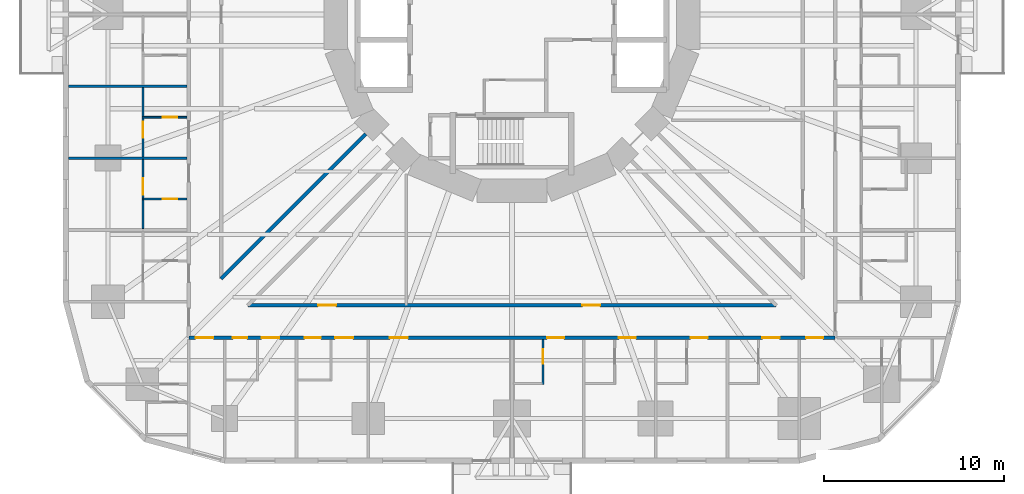
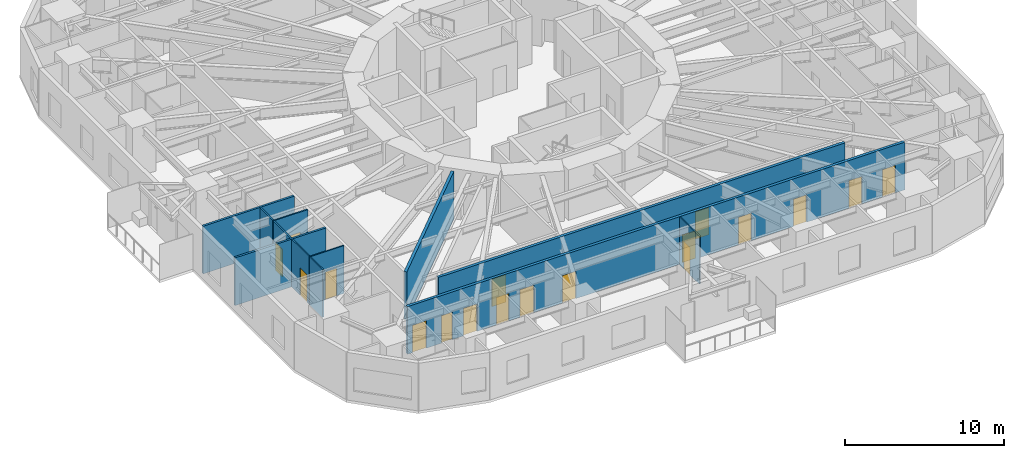
# One storey, part 5 of 14: 18 doors, 12 walls, 18 openings.
"""IFC4 building model written with IfcOpenShell, lengths in metres."""

from ifc_helpers import new_model, si_unit, direction, frame, frame_2d, origin, place, context, subcontext, project, spatial, rectangle, extrude, material, layer, layer_set, type_object, element, fill, save


model = new_model("IFC4")

# Units and contexts
model_context = context("Model", 3, precision=1e-05, world=origin(), true_north=direction((0.0, 1.0)))
body_context = subcontext(model_context, "Body", "Model", "MODEL_VIEW")
ifc_project = project(units=[si_unit("LENGTHUNIT", "METRE"), si_unit("AREAUNIT", "SQUARE_METRE"), si_unit("VOLUMEUNIT", "CUBIC_METRE"), si_unit("PLANEANGLEUNIT", "RADIAN"), si_unit("MASSUNIT", "GRAM", prefix="KILO")], contexts=[model_context])

# Site, building, storey
site_placement = place(None, origin())
site = spatial("IfcSite", under=ifc_project, at=site_placement, CompositionType="ELEMENT")
building_placement = place(site_placement, origin())
building = spatial("IfcBuilding", under=site, at=building_placement, Name="Nakasero Lantern House", CompositionType="ELEMENT")
storey_placement = place(building_placement, frame((0.0, 0.0, 46.800048828125)))
storey = spatial("IfcBuildingStorey", under=building, at=storey_placement, Name="L11", CompositionType="ELEMENT", Elevation=46.800048828125)

# Wall, openings, doors
ifc_material_1 = material(Name="Blockwork", Category="masonry")
ifc_layer_1 = layer(ifc_material_1, 0.199951171875)
ifc_layer_set_1 = layer_set([ifc_layer_1], Name="Corridor wall 200")
wall_type_1 = type_object("IfcWallType", Name="Corridor wall 200", PredefinedType="PARTITIONING", material=ifc_layer_set_1)
wall_1_placement = place(storey_placement, frame((-18.0, -18.0, 0.0), z_axis=(0.0, 0.0, 1.0), x_axis=(1.0, 0.0, 0.0)))
wall_1 = element("IfcWall", 1, at=wall_1_placement, inside=storey, type_object=wall_type_1, Name="Corridor wall L11 CW3", PredefinedType="PARTITIONING", context=body_context, shape_type="SweptSolid", body=[
    extrude(rectangle(XDim=36.0, YDim=0.199951171875, at=frame_2d((18.0, 0.0))), origin(), (0.0, 0.0, 1.0), 3.64990234375),
])
opening_1_placement = place(wall_1_placement, frame((0.375, 0.0, 0.0)))
opening_1 = element("IfcOpeningElement", 2, at=opening_1_placement, cuts=wall_1, Name="Opening D07", PredefinedType="OPENING", context=body_context, shape_type="SweptSolid", body=[
    extrude(rectangle(XDim=1.0, YDim=2.10009765625, at=frame_2d((0.5, 1.050048828125))), frame((0.0, 0.119873046875, 0.0), z_axis=(0.0, -1.0, 0.0), x_axis=(1.0, 0.0, 0.0)), (0.0, 0.0, 1.0), 0.239990234375),
])
opening_2_placement = place(wall_1_placement, frame((2.449951171875, 0.0, 0.0)))
opening_2 = element("IfcOpeningElement", 3, at=opening_2_placement, cuts=wall_1, Name="Opening D15", PredefinedType="OPENING", context=body_context, shape_type="SweptSolid", body=[
    extrude(rectangle(XDim=0.800048828125, YDim=2.10009765625, at=frame_2d((0.39990234375, 1.050048828125))), frame((0.0, 0.119873046875, 0.0), z_axis=(0.0, -1.0, 0.0), x_axis=(1.0, 0.0, 0.0)), (0.0, 0.0, 1.0), 0.239990234375),
])
opening_3_placement = place(wall_1_placement, frame((4.050048828125, 0.0, 0.0)))
opening_3 = element("IfcOpeningElement", 4, at=opening_3_placement, cuts=wall_1, Name="Opening D07", PredefinedType="OPENING", context=body_context, shape_type="SweptSolid", body=[
    extrude(rectangle(XDim=1.0, YDim=2.10009765625, at=frame_2d((0.5, 1.050048828125))), frame((0.0, 0.119873046875, 0.0), z_axis=(0.0, -1.0, 0.0), x_axis=(1.0, 0.0, 0.0)), (0.0, 0.0, 1.0), 0.239990234375),
])
opening_4_placement = place(wall_1_placement, frame((6.449951171875, 0.0, 0.0)))
opening_4 = element("IfcOpeningElement", 5, at=opening_4_placement, cuts=wall_1, Name="Opening D16", PredefinedType="OPENING", context=body_context, shape_type="SweptSolid", body=[
    extrude(rectangle(XDim=0.89990234375, YDim=2.10009765625, at=frame_2d((0.449951171875, 1.050048828125))), frame((0.0, 0.119873046875, 0.0), z_axis=(0.0, -1.0, 0.0), x_axis=(1.0, 0.0, 0.0)), (0.0, 0.0, 1.0), 0.239990234375),
])
opening_5_placement = place(wall_1_placement, frame((8.14990234375, 0.0, 0.0)))
opening_5 = element("IfcOpeningElement", 6, at=opening_5_placement, cuts=wall_1, Name="Opening D07", PredefinedType="OPENING", context=body_context, shape_type="SweptSolid", body=[
    extrude(rectangle(XDim=1.0, YDim=2.10009765625, at=frame_2d((0.5, 1.050048828125))), frame((0.0, 0.119873046875, 0.0), z_axis=(0.0, -1.0, 0.0), x_axis=(1.0, 0.0, 0.0)), (0.0, 0.0, 1.0), 0.239990234375),
])
opening_6_placement = place(wall_1_placement, frame((19.949951171875, 0.0, 0.0)))
opening_6 = element("IfcOpeningElement", 7, at=opening_6_placement, cuts=wall_1, Name="Opening D01", PredefinedType="OPENING", context=body_context, shape_type="SweptSolid", body=[
    extrude(rectangle(XDim=0.949951171875, YDim=2.10009765625, at=frame_2d((0.47509765625, 1.050048828125))), frame((0.0, 0.119873046875, 0.0), z_axis=(0.0, -1.0, 0.0), x_axis=(1.0, 0.0, 0.0)), (0.0, 0.0, 1.0), 0.239990234375),
])
opening_7_placement = place(wall_1_placement, frame((23.949951171875, 0.0, 0.0)))
opening_7 = element("IfcOpeningElement", 8, at=opening_7_placement, cuts=wall_1, Name="Opening D01", PredefinedType="OPENING", context=body_context, shape_type="SweptSolid", body=[
    extrude(rectangle(XDim=0.949951171875, YDim=2.10009765625, at=frame_2d((0.47509765625, 1.050048828125))), frame((0.0, 0.119873046875, 0.0), z_axis=(0.0, -1.0, 0.0), x_axis=(1.0, 0.0, 0.0)), (0.0, 0.0, 1.0), 0.239990234375),
])
opening_8_placement = place(wall_1_placement, frame((27.949951171875, 0.0, 0.0)))
opening_8 = element("IfcOpeningElement", 9, at=opening_8_placement, cuts=wall_1, Name="Opening D01", PredefinedType="OPENING", context=body_context, shape_type="SweptSolid", body=[
    extrude(rectangle(XDim=0.949951171875, YDim=2.10009765625, at=frame_2d((0.47509765625, 1.050048828125))), frame((0.0, 0.119873046875, 0.0), z_axis=(0.0, -1.0, 0.0), x_axis=(1.0, 0.0, 0.0)), (0.0, 0.0, 1.0), 0.239990234375),
])
opening_9_placement = place(wall_1_placement, frame((31.949951171875, 0.0, 0.0)))
opening_9 = element("IfcOpeningElement", 10, at=opening_9_placement, cuts=wall_1, Name="Opening D01", PredefinedType="OPENING", context=body_context, shape_type="SweptSolid", body=[
    extrude(rectangle(XDim=0.949951171875, YDim=2.10009765625, at=frame_2d((0.47509765625, 1.050048828125))), frame((0.0, 0.119873046875, 0.0), z_axis=(0.0, -1.0, 0.0), x_axis=(1.0, 0.0, 0.0)), (0.0, 0.0, 1.0), 0.239990234375),
])
opening_10_placement = place(wall_1_placement, frame((34.375, 0.0, 0.0)))
opening_10 = element("IfcOpeningElement", 11, at=opening_10_placement, cuts=wall_1, Name="Opening D01", PredefinedType="OPENING", context=body_context, shape_type="SweptSolid", body=[
    extrude(rectangle(XDim=0.949951171875, YDim=2.10009765625, at=frame_2d((0.47509765625, 1.050048828125))), frame((0.0, 0.119873046875, 0.0), z_axis=(0.0, -1.0, 0.0), x_axis=(1.0, 0.0, 0.0)), (0.0, 0.0, 1.0), 0.239990234375),
])
opening_11_placement = place(wall_1_placement, frame((11.199951171875, 0.0, 0.0)))
opening_11 = element("IfcOpeningElement", 12, at=opening_11_placement, cuts=wall_1, Name="Opening D03", PredefinedType="OPENING", context=body_context, shape_type="SweptSolid", body=[
    extrude(rectangle(XDim=1.0, YDim=2.10009765625, at=frame_2d((0.5, 1.050048828125))), frame((0.0, 0.119873046875, 0.0), z_axis=(0.0, -1.0, 0.0), x_axis=(1.0, 0.0, 0.0)), (0.0, 0.0, 1.0), 0.239990234375),
])
ifc_material_2 = material(Name="Timber C24", Category="wood")
door_type_1 = type_object("IfcDoorType", Name="Accessible WC door 900", OperationType="SINGLE_SWING_RIGHT", PredefinedType="DOOR", material=ifc_material_2)
door_1_placement = place(opening_4_placement, origin())
door_1 = element("IfcDoor", 13, at=door_1_placement, inside=storey, type_object=door_type_1, Name="Door L11 DS3-02", OperationType="SINGLE_SWING_LEFT", OverallHeight=2.10009765625, OverallWidth=0.89990234375, PredefinedType="DOOR", context=body_context, shape_type="SweptSolid", body=[
    extrude(rectangle(XDim=0.89990234375, YDim=2.10009765625, at=frame_2d((0.449951171875, 1.050048828125))), frame((0.0, 0.02490234375, 0.0), z_axis=(0.0, -1.0, 0.0), x_axis=(1.0, 0.0, 0.0)), (0.0, 0.0, 1.0), 0.050048828125),
])
fill(opening_4, door_1)
ifc_material_3 = material(Name="Timber C24", Category="wood")
door_type_2 = type_object("IfcDoorType", Name="Bedroom door FD30S 950", OperationType="SINGLE_SWING_LEFT", PredefinedType="DOOR", material=ifc_material_3)
door_2_placement = place(opening_6_placement, origin())
door_2 = element("IfcDoor", 14, at=door_2_placement, inside=storey, type_object=door_type_2, Name="Door L11 D3-05", OperationType="SINGLE_SWING_RIGHT", OverallHeight=2.10009765625, OverallWidth=0.949951171875, PredefinedType="DOOR", context=body_context, shape_type="SweptSolid", body=[
    extrude(rectangle(XDim=0.949951171875, YDim=2.10009765625, at=frame_2d((0.47509765625, 1.050048828125))), frame((0.0, 0.02490234375, 0.0), z_axis=(0.0, -1.0, 0.0), x_axis=(1.0, 0.0, 0.0)), (0.0, 0.0, 1.0), 0.050048828125),
])
fill(opening_6, door_2)
door_3_placement = place(opening_7_placement, origin())
door_3 = element("IfcDoor", 15, at=door_3_placement, inside=storey, type_object=door_type_2, Name="Door L11 D3-06", OperationType="SINGLE_SWING_RIGHT", OverallHeight=2.10009765625, OverallWidth=0.949951171875, PredefinedType="DOOR", context=body_context, shape_type="SweptSolid", body=[
    extrude(rectangle(XDim=0.949951171875, YDim=2.10009765625, at=frame_2d((0.47509765625, 1.050048828125))), frame((0.0, 0.02490234375, 0.0), z_axis=(0.0, -1.0, 0.0), x_axis=(1.0, 0.0, 0.0)), (0.0, 0.0, 1.0), 0.050048828125),
])
fill(opening_7, door_3)
door_4_placement = place(opening_8_placement, origin())
door_4 = element("IfcDoor", 16, at=door_4_placement, inside=storey, type_object=door_type_2, Name="Door L11 D3-07", OperationType="SINGLE_SWING_RIGHT", OverallHeight=2.10009765625, OverallWidth=0.949951171875, PredefinedType="DOOR", context=body_context, shape_type="SweptSolid", body=[
    extrude(rectangle(XDim=0.949951171875, YDim=2.10009765625, at=frame_2d((0.47509765625, 1.050048828125))), frame((0.0, 0.02490234375, 0.0), z_axis=(0.0, -1.0, 0.0), x_axis=(1.0, 0.0, 0.0)), (0.0, 0.0, 1.0), 0.050048828125),
])
fill(opening_8, door_4)
door_5_placement = place(opening_9_placement, origin())
door_5 = element("IfcDoor", 17, at=door_5_placement, inside=storey, type_object=door_type_2, Name="Door L11 D3-08", OperationType="SINGLE_SWING_RIGHT", OverallHeight=2.10009765625, OverallWidth=0.949951171875, PredefinedType="DOOR", context=body_context, shape_type="SweptSolid", body=[
    extrude(rectangle(XDim=0.949951171875, YDim=2.10009765625, at=frame_2d((0.47509765625, 1.050048828125))), frame((0.0, 0.02490234375, 0.0), z_axis=(0.0, -1.0, 0.0), x_axis=(1.0, 0.0, 0.0)), (0.0, 0.0, 1.0), 0.050048828125),
])
fill(opening_9, door_5)
door_6_placement = place(opening_10_placement, origin())
door_6 = element("IfcDoor", 18, at=door_6_placement, inside=storey, type_object=door_type_2, Name="Door L11 D3-09", OperationType="SINGLE_SWING_RIGHT", OverallHeight=2.10009765625, OverallWidth=0.949951171875, PredefinedType="DOOR", context=body_context, shape_type="SweptSolid", body=[
    extrude(rectangle(XDim=0.949951171875, YDim=2.10009765625, at=frame_2d((0.47509765625, 1.050048828125))), frame((0.0, 0.02490234375, 0.0), z_axis=(0.0, -1.0, 0.0), x_axis=(1.0, 0.0, 0.0)), (0.0, 0.0, 1.0), 0.050048828125),
])
fill(opening_10, door_6)
ifc_material_4 = material(Name="Timber C24", Category="wood")
door_type_3 = type_object("IfcDoorType", Name="Cleaner's store door FD30S 800", OperationType="SINGLE_SWING_LEFT", PredefinedType="DOOR", material=ifc_material_4)
door_7_placement = place(opening_2_placement, origin())
door_7 = element("IfcDoor", 19, at=door_7_placement, inside=storey, type_object=door_type_3, Name="Door L11 DS3-01", OperationType="SINGLE_SWING_LEFT", OverallHeight=2.10009765625, OverallWidth=0.800048828125, PredefinedType="DOOR", context=body_context, shape_type="SweptSolid", body=[
    extrude(rectangle(XDim=0.800048828125, YDim=2.10009765625, at=frame_2d((0.39990234375, 1.050048828125))), frame((0.0, 0.02490234375, 0.0), z_axis=(0.0, -1.0, 0.0), x_axis=(1.0, 0.0, 0.0)), (0.0, 0.0, 1.0), 0.050048828125),
])
fill(opening_2, door_7)
ifc_material_5 = material(Name="Timber C24", Category="wood")
door_type_4 = type_object("IfcDoorType", Name="Lounge door FD30S 1000", OperationType="SINGLE_SWING_LEFT", PredefinedType="DOOR", material=ifc_material_5)
door_8_placement = place(opening_11_placement, origin())
door_8 = element("IfcDoor", 20, at=door_8_placement, inside=storey, type_object=door_type_4, Name="Door L11 DK3", OperationType="SINGLE_SWING_LEFT", OverallHeight=2.10009765625, OverallWidth=1.0, PredefinedType="DOOR", context=body_context, shape_type="SweptSolid", body=[
    extrude(rectangle(XDim=1.0, YDim=2.10009765625, at=frame_2d((0.5, 1.050048828125))), frame((0.0, 0.02490234375, 0.0), z_axis=(0.0, -1.0, 0.0), x_axis=(1.0, 0.0, 0.0)), (0.0, 0.0, 1.0), 0.050048828125),
])
fill(opening_11, door_8)
ifc_material_6 = material(Name="Timber C24", Category="wood")
door_type_5 = type_object("IfcDoorType", Name="Room door FD30S 1000", OperationType="SINGLE_SWING_LEFT", PredefinedType="DOOR", material=ifc_material_6)
door_9_placement = place(opening_1_placement, origin())
door_9 = element("IfcDoor", 21, at=door_9_placement, inside=storey, type_object=door_type_5, Name="Door L11 D3-00", OperationType="SINGLE_SWING_LEFT", OverallHeight=2.10009765625, OverallWidth=1.0, PredefinedType="DOOR", context=body_context, shape_type="SweptSolid", body=[
    extrude(rectangle(XDim=1.0, YDim=2.10009765625, at=frame_2d((0.5, 1.050048828125))), frame((0.0, 0.02490234375, 0.0), z_axis=(0.0, -1.0, 0.0), x_axis=(1.0, 0.0, 0.0)), (0.0, 0.0, 1.0), 0.050048828125),
])
fill(opening_1, door_9)
door_10_placement = place(opening_3_placement, origin())
door_10 = element("IfcDoor", 22, at=door_10_placement, inside=storey, type_object=door_type_5, Name="Door L11 D3-01", OperationType="SINGLE_SWING_LEFT", OverallHeight=2.10009765625, OverallWidth=1.0, PredefinedType="DOOR", context=body_context, shape_type="SweptSolid", body=[
    extrude(rectangle(XDim=1.0, YDim=2.10009765625, at=frame_2d((0.5, 1.050048828125))), frame((0.0, 0.02490234375, 0.0), z_axis=(0.0, -1.0, 0.0), x_axis=(1.0, 0.0, 0.0)), (0.0, 0.0, 1.0), 0.050048828125),
])
fill(opening_3, door_10)
door_11_placement = place(opening_5_placement, origin())
door_11 = element("IfcDoor", 23, at=door_11_placement, inside=storey, type_object=door_type_5, Name="Door L11 D3-02", OperationType="SINGLE_SWING_LEFT", OverallHeight=2.10009765625, OverallWidth=1.0, PredefinedType="DOOR", context=body_context, shape_type="SweptSolid", body=[
    extrude(rectangle(XDim=1.0, YDim=2.10009765625, at=frame_2d((0.5, 1.050048828125))), frame((0.0, 0.02490234375, 0.0), z_axis=(0.0, -1.0, 0.0), x_axis=(1.0, 0.0, 0.0)), (0.0, 0.0, 1.0), 0.050048828125),
])
fill(opening_5, door_11)

wall_2_placement = place(storey_placement, frame((-14.715087890625, -16.199951171875, 0.0), z_axis=(0.0, 0.0, 1.0), x_axis=(1.0, 0.0, 0.0)))
wall_2 = element("IfcWall", 24, at=wall_2_placement, inside=storey, type_object=wall_type_1, Name="Corridor wall L11 IW3-0", PredefinedType="PARTITIONING", context=body_context, shape_type="SweptSolid", body=[
    extrude(rectangle(XDim=29.43017578125, YDim=0.199951171875, at=frame_2d((14.715087890625, 0.0))), origin(), (0.0, 0.0, 1.0), 3.64990234375),
])
opening_12_placement = place(wall_2_placement, frame((3.91455078125, 0.0, 0.0)))
opening_12 = element("IfcOpeningElement", 25, at=opening_12_placement, cuts=wall_2, Name="Opening D07", PredefinedType="OPENING", context=body_context, shape_type="SweptSolid", body=[
    extrude(rectangle(XDim=1.0, YDim=2.10009765625, at=frame_2d((0.5, 1.050048828125))), frame((0.0, 0.119873046875, 0.0), z_axis=(0.0, -1.0, 0.0), x_axis=(1.0, 0.0, 0.0)), (0.0, 0.0, 1.0), 0.239990234375),
])
opening_13_placement = place(wall_2_placement, frame((18.629638671875, 0.0, 0.0)))
opening_13 = element("IfcOpeningElement", 26, at=opening_13_placement, cuts=wall_2, Name="Opening D07", PredefinedType="OPENING", context=body_context, shape_type="SweptSolid", body=[
    extrude(rectangle(XDim=1.0, YDim=2.10009765625, at=frame_2d((0.5, 1.050048828125))), frame((0.0, 0.119873046875, 0.0), z_axis=(0.0, -1.0, 0.0), x_axis=(1.0, 0.0, 0.0)), (0.0, 0.0, 1.0), 0.239990234375),
])
door_12_placement = place(opening_12_placement, origin())
door_12 = element("IfcDoor", 27, at=door_12_placement, inside=storey, type_object=door_type_5, Name="Door L11 DI4", OperationType="SINGLE_SWING_LEFT", OverallHeight=2.10009765625, OverallWidth=1.0, PredefinedType="DOOR", context=body_context, shape_type="SweptSolid", body=[
    extrude(rectangle(XDim=1.0, YDim=2.10009765625, at=frame_2d((0.5, 1.050048828125))), frame((0.0, 0.02490234375, 0.0), z_axis=(0.0, -1.0, 0.0), x_axis=(1.0, 0.0, 0.0)), (0.0, 0.0, 1.0), 0.050048828125),
])
fill(opening_12, door_12)
door_13_placement = place(opening_13_placement, origin())
door_13 = element("IfcDoor", 28, at=door_13_placement, inside=storey, type_object=door_type_5, Name="Door L11 DI4S", OperationType="SINGLE_SWING_RIGHT", OverallHeight=2.10009765625, OverallWidth=1.0, PredefinedType="DOOR", context=body_context, shape_type="SweptSolid", body=[
    extrude(rectangle(XDim=1.0, YDim=2.10009765625, at=frame_2d((0.5, 1.050048828125))), frame((0.0, 0.02490234375, 0.0), z_axis=(0.0, -1.0, 0.0), x_axis=(1.0, 0.0, 0.0)), (0.0, 0.0, 1.0), 0.050048828125),
])
fill(opening_13, door_13)

# Wall
wall_3_placement = place(storey_placement, frame((-8.13720703125, -6.65234375, 0.0), z_axis=(0.0, 0.0, 1.0), x_axis=(-0.707106781187, -0.707106781187, 0.0)))
element("IfcWall", 29, at=wall_3_placement, inside=storey, type_object=wall_type_1, Name="Corridor wall L11 PS10b", PredefinedType="PARTITIONING", context=body_context, shape_type="SweptSolid", body=[
    extrude(rectangle(XDim=11.40234375, YDim=0.199951171875, at=frame_2d((5.701171875, 0.0))), origin(), (0.0, 0.0, 1.0), 3.64990234375),
])

# Wall, opening, door
ifc_material_7 = material(Name="Blockwork", Category="masonry")
ifc_layer_2 = layer(ifc_material_7, 0.10009765625)
ifc_layer_set_2 = layer_set([ifc_layer_2], Name="En-suite wall 100")
wall_type_2 = type_object("IfcWallType", Name="En-suite wall 100", PredefinedType="PARTITIONING", material=ifc_layer_set_2)
wall_4_placement = place(storey_placement, frame((-18.10009765625, -5.72509765625, 0.0), z_axis=(0.0, 0.0, 1.0), x_axis=(-1.0, 0.0, 0.0)))
wall_4 = element("IfcWall", 30, at=wall_4_placement, inside=storey, type_object=wall_type_2, Name="En-suite wall L11 ES2-06", PredefinedType="PARTITIONING", context=body_context, shape_type="SweptSolid", body=[
    extrude(rectangle(XDim=2.5, YDim=0.10009765625, at=frame_2d((1.25, 0.0))), origin(), (0.0, 0.0, 1.0), 3.64990234375),
])
opening_14_placement = place(wall_4_placement, frame((0.550048828125, 0.0, 0.0)))
opening_14 = element("IfcOpeningElement", 31, at=opening_14_placement, cuts=wall_4, Name="Opening D02", PredefinedType="OPENING", context=body_context, shape_type="SweptSolid", body=[
    extrude(rectangle(XDim=0.800048828125, YDim=2.10009765625, at=frame_2d((0.39990234375, 1.050048828125))), frame((0.0, 0.070068359375, 0.0), z_axis=(0.0, -1.0, 0.0), x_axis=(1.0, 0.0, 0.0)), (0.0, 0.0, 1.0), 0.14013671875),
])
ifc_material_8 = material(Name="Timber C24", Category="wood")
door_type_6 = type_object("IfcDoorType", Name="En-suite door 800", OperationType="SINGLE_SWING_RIGHT", PredefinedType="DOOR", material=ifc_material_8)
door_14_placement = place(opening_14_placement, origin())
door_14 = element("IfcDoor", 32, at=door_14_placement, inside=storey, type_object=door_type_6, Name="Door L11 DE2-06", OperationType="SINGLE_SWING_LEFT", OverallHeight=2.10009765625, OverallWidth=0.800048828125, PredefinedType="DOOR", context=body_context, shape_type="SweptSolid", body=[
    extrude(rectangle(XDim=0.800048828125, YDim=2.10009765625, at=frame_2d((0.39990234375, 1.050048828125))), frame((0.0, 0.02490234375, 0.0), z_axis=(0.0, -1.0, 0.0), x_axis=(1.0, 0.0, 0.0)), (0.0, 0.0, 1.0), 0.050048828125),
])
fill(opening_14, door_14)

# Wall
wall_5_placement = place(storey_placement, frame((-20.550048828125, -4.074951171875, 0.0), z_axis=(0.0, 0.0, 1.0), x_axis=(0.0, -1.0, 0.0)))
element("IfcWall", 33, at=wall_5_placement, inside=storey, type_object=wall_type_2, Name="En-suite wall L11 EE2-06", PredefinedType="PARTITIONING", context=body_context, shape_type="SweptSolid", body=[
    extrude(rectangle(XDim=1.60009765625, YDim=0.10009765625, at=frame_2d((0.800048828125, 0.0))), origin(), (0.0, 0.0, 1.0), 3.64990234375),
])

# Wall, opening, door
wall_6_placement = place(storey_placement, frame((-18.10009765625, -10.27490234375, 0.0), z_axis=(0.0, 0.0, 1.0), x_axis=(-1.0, 0.0, 0.0)))
wall_6 = element("IfcWall", 34, at=wall_6_placement, inside=storey, type_object=wall_type_2, Name="En-suite wall L11 ES2-07", PredefinedType="PARTITIONING", context=body_context, shape_type="SweptSolid", body=[
    extrude(rectangle(XDim=2.5, YDim=0.10009765625, at=frame_2d((1.25, 0.0))), origin(), (0.0, 0.0, 1.0), 3.64990234375),
])
opening_15_placement = place(wall_6_placement, frame((0.550048828125, 0.0, 0.0)))
opening_15 = element("IfcOpeningElement", 35, at=opening_15_placement, cuts=wall_6, Name="Opening D02", PredefinedType="OPENING", context=body_context, shape_type="SweptSolid", body=[
    extrude(rectangle(XDim=0.800048828125, YDim=2.10009765625, at=frame_2d((0.39990234375, 1.050048828125))), frame((0.0, 0.070068359375, 0.0), z_axis=(0.0, -1.0, 0.0), x_axis=(1.0, 0.0, 0.0)), (0.0, 0.0, 1.0), 0.14013671875),
])
door_15_placement = place(opening_15_placement, origin())
door_15 = element("IfcDoor", 36, at=door_15_placement, inside=storey, type_object=door_type_6, Name="Door L11 DE2-07", OperationType="SINGLE_SWING_LEFT", OverallHeight=2.10009765625, OverallWidth=0.800048828125, PredefinedType="DOOR", context=body_context, shape_type="SweptSolid", body=[
    extrude(rectangle(XDim=0.800048828125, YDim=2.10009765625, at=frame_2d((0.39990234375, 1.050048828125))), frame((0.0, 0.02490234375, 0.0), z_axis=(0.0, -1.0, 0.0), x_axis=(1.0, 0.0, 0.0)), (0.0, 0.0, 1.0), 0.050048828125),
])
fill(opening_15, door_15)

# Wall
wall_7_placement = place(storey_placement, frame((-20.550048828125, -10.324951171875, 0.0), z_axis=(0.0, 0.0, 1.0), x_axis=(0.0, -1.0, 0.0)))
element("IfcWall", 37, at=wall_7_placement, inside=storey, type_object=wall_type_2, Name="En-suite wall L11 EE2-07", PredefinedType="PARTITIONING", context=body_context, shape_type="SweptSolid", body=[
    extrude(rectangle(XDim=1.60009765625, YDim=0.10009765625, at=frame_2d((0.800048828125, 0.0))), origin(), (0.0, 0.0, 1.0), 3.64990234375),
])

# Wall, opening, door
wall_8_placement = place(storey_placement, frame((1.72509765625, -18.10009765625, 0.0), z_axis=(0.0, 0.0, 1.0), x_axis=(0.0, -1.0, 0.0)))
wall_8 = element("IfcWall", 38, at=wall_8_placement, inside=storey, type_object=wall_type_2, Name="En-suite wall L11 ES3-05", PredefinedType="PARTITIONING", context=body_context, shape_type="SweptSolid", body=[
    extrude(rectangle(XDim=2.5, YDim=0.10009765625, at=frame_2d((1.25, 0.0))), origin(), (0.0, 0.0, 1.0), 3.64990234375),
])
opening_16_placement = place(wall_8_placement, frame((0.550048828125, 0.0, 0.0)))
opening_16 = element("IfcOpeningElement", 39, at=opening_16_placement, cuts=wall_8, Name="Opening D02", PredefinedType="OPENING", context=body_context, shape_type="SweptSolid", body=[
    extrude(rectangle(XDim=0.800048828125, YDim=2.10009765625, at=frame_2d((0.39990234375, 1.050048828125))), frame((0.0, 0.070068359375, 0.0), z_axis=(0.0, -1.0, 0.0), x_axis=(1.0, 0.0, 0.0)), (0.0, 0.0, 1.0), 0.14013671875),
])
door_16_placement = place(opening_16_placement, origin())
door_16 = element("IfcDoor", 40, at=door_16_placement, inside=storey, type_object=door_type_6, Name="Door L11 DE3-05", OperationType="SINGLE_SWING_LEFT", OverallHeight=2.10009765625, OverallWidth=0.800048828125, PredefinedType="DOOR", context=body_context, shape_type="SweptSolid", body=[
    extrude(rectangle(XDim=0.800048828125, YDim=2.10009765625, at=frame_2d((0.39990234375, 1.050048828125))), frame((0.0, 0.02490234375, 0.0), z_axis=(0.0, -1.0, 0.0), x_axis=(1.0, 0.0, 0.0)), (0.0, 0.0, 1.0), 0.050048828125),
])
fill(opening_16, door_16)

wall_9_placement = place(storey_placement, frame((-20.550048828125, -5.77490234375, 0.0), z_axis=(0.0, 0.0, 1.0), x_axis=(0.0, -1.0, 0.0)))
wall_9 = element("IfcWall", 41, at=wall_9_placement, inside=storey, type_object=wall_type_2, Name="En-suite wall L11 EL2-06", PredefinedType="PARTITIONING", context=body_context, shape_type="SweptSolid", body=[
    extrude(rectangle(XDim=2.150146484375, YDim=0.10009765625, at=frame_2d((1.0751953125, 0.0))), origin(), (0.0, 0.0, 1.0), 3.64990234375),
])
opening_17_placement = place(wall_9_placement, frame((0.199951171875, 0.0, 0.0)))
opening_17 = element("IfcOpeningElement", 42, at=opening_17_placement, cuts=wall_9, Name="Opening D17", PredefinedType="OPENING", context=body_context, shape_type="SweptSolid", body=[
    extrude(rectangle(XDim=0.89990234375, YDim=2.10009765625, at=frame_2d((0.449951171875, 1.050048828125))), frame((0.0, 0.070068359375, 0.0), z_axis=(0.0, -1.0, 0.0), x_axis=(1.0, 0.0, 0.0)), (0.0, 0.0, 1.0), 0.14013671875),
])
ifc_material_9 = material(Name="Timber C24", Category="wood")
door_type_7 = type_object("IfcDoorType", Name="Bedroom door FD30S 900", OperationType="SINGLE_SWING_LEFT", PredefinedType="DOOR", material=ifc_material_9)
door_17_placement = place(opening_17_placement, origin())
door_17 = element("IfcDoor", 43, at=door_17_placement, inside=storey, type_object=door_type_7, Name="Door L11 DL2-06", OperationType="SINGLE_SWING_LEFT", OverallHeight=2.10009765625, OverallWidth=0.89990234375, PredefinedType="DOOR", context=body_context, shape_type="SweptSolid", body=[
    extrude(rectangle(XDim=0.89990234375, YDim=2.10009765625, at=frame_2d((0.449951171875, 1.050048828125))), frame((0.0, 0.02490234375, 0.0), z_axis=(0.0, -1.0, 0.0), x_axis=(1.0, 0.0, 0.0)), (0.0, 0.0, 1.0), 0.050048828125),
])
fill(opening_17, door_17)

wall_10_placement = place(storey_placement, frame((-20.550048828125, -8.074951171875, 0.0), z_axis=(0.0, 0.0, 1.0), x_axis=(0.0, -1.0, 0.0)))
wall_10 = element("IfcWall", 44, at=wall_10_placement, inside=storey, type_object=wall_type_2, Name="En-suite wall L11 EL2-07", PredefinedType="PARTITIONING", context=body_context, shape_type="SweptSolid", body=[
    extrude(rectangle(XDim=2.150146484375, YDim=0.10009765625, at=frame_2d((1.0751953125, 0.0))), origin(), (0.0, 0.0, 1.0), 3.64990234375),
])
opening_18_placement = place(wall_10_placement, frame((1.050048828125, 0.0, 0.0)))
opening_18 = element("IfcOpeningElement", 45, at=opening_18_placement, cuts=wall_10, Name="Opening D17", PredefinedType="OPENING", context=body_context, shape_type="SweptSolid", body=[
    extrude(rectangle(XDim=0.89990234375, YDim=2.10009765625, at=frame_2d((0.449951171875, 1.050048828125))), frame((0.0, 0.070068359375, 0.0), z_axis=(0.0, -1.0, 0.0), x_axis=(1.0, 0.0, 0.0)), (0.0, 0.0, 1.0), 0.14013671875),
])
door_18_placement = place(opening_18_placement, origin())
door_18 = element("IfcDoor", 46, at=door_18_placement, inside=storey, type_object=door_type_7, Name="Door L11 DL2-07", OperationType="SINGLE_SWING_RIGHT", OverallHeight=2.10009765625, OverallWidth=0.89990234375, PredefinedType="DOOR", context=body_context, shape_type="SweptSolid", body=[
    extrude(rectangle(XDim=0.89990234375, YDim=2.10009765625, at=frame_2d((0.449951171875, 1.050048828125))), frame((0.0, 0.02490234375, 0.0), z_axis=(0.0, -1.0, 0.0), x_axis=(1.0, 0.0, 0.0)), (0.0, 0.0, 1.0), 0.050048828125),
])
fill(opening_18, door_18)

# Walls
ifc_material_10 = material(Name="Blockwork", Category="masonry")
ifc_layer_3 = layer(ifc_material_10, 0.14990234375)
ifc_layer_set_3 = layer_set([ifc_layer_3], Name="Party wall 150")
wall_type_3 = type_object("IfcWallType", Name="Party wall 150", PredefinedType="PARTITIONING", material=ifc_layer_set_3)
for number, where, z_axis, x_axis, name in (
    (47, (-18.10009765625, -4.0, 0.0), (0.0, 0.0, 1.0), (-1.0, 0.0, 0.0), "Party wall L11 PW2-06"),
    (48, (-18.10009765625, -8.0, 0.0), (0.0, 0.0, 1.0), (-1.0, 0.0, 0.0), "Party wall L11 PW2-07"),
):
    element("IfcWall", number, at=place(storey_placement, frame(where, z_axis=z_axis, x_axis=x_axis)), inside=storey, type_object=wall_type_3, Name=name, PredefinedType="PARTITIONING", context=body_context, shape_type="SweptSolid", body=[
        extrude(rectangle(XDim=6.599853515625, YDim=0.14990234375, at=frame_2d((3.2998046875, 0.0))), origin(), (0.0, 0.0, 1.0), 3.64990234375),
    ])

save(model, "model.ifc")
